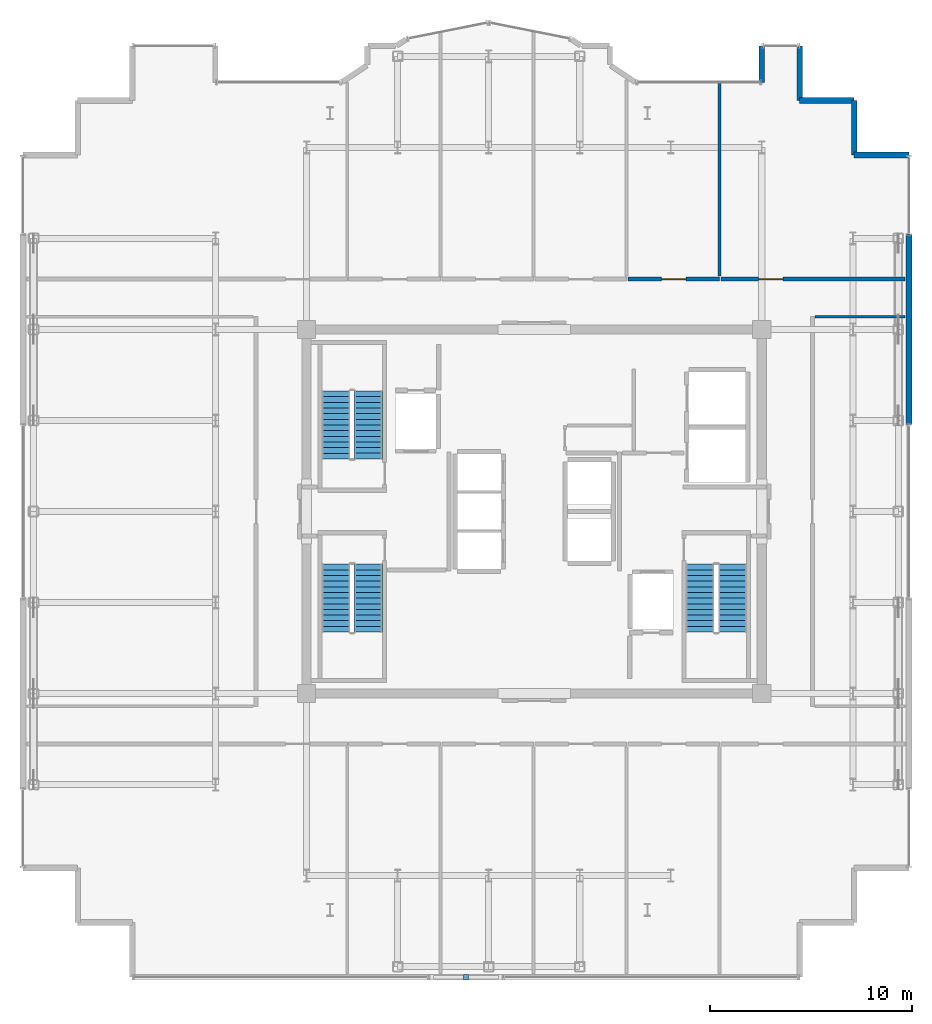
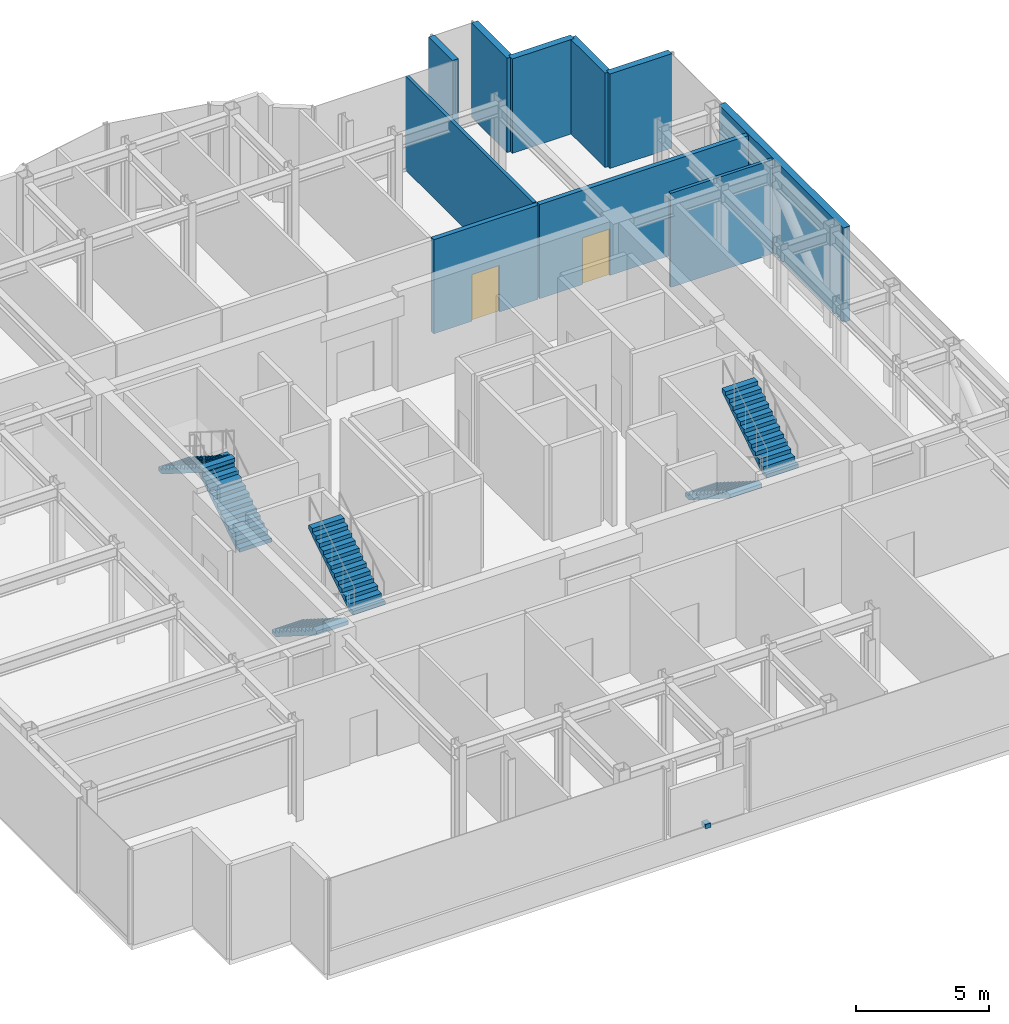
# One storey, part 16 of 18: 10 walls, 6 stair flights, 2 doors, 1 discrete accessory, 2 openings, 3 elements without a shape of their own.
"""IFC4 building model written with IfcOpenShell, lengths in metres."""

from ifc_helpers import new_model, si_unit, direction, frame, frame_2d, origin, origin_2d, place, context, subcontext, project, spatial, polyline, rectangle, outline, extrude, source, transform, mapped, material, layer, layer_set, type_object, element, fill, aggregate, save


model = new_model("IFC4")

# Units and contexts
model_context = context("Model", 3, precision=1e-05, world=origin(), true_north=direction((0.0, 1.0)))
body_context = subcontext(model_context, "Body", "Model", "MODEL_VIEW")
ifc_project = project(units=[si_unit("LENGTHUNIT", "METRE"), si_unit("AREAUNIT", "SQUARE_METRE"), si_unit("VOLUMEUNIT", "CUBIC_METRE"), si_unit("PLANEANGLEUNIT", "RADIAN"), si_unit("MASSUNIT", "GRAM", prefix="KILO")], contexts=[model_context])

# Site, building, storey
site_placement = place(None, origin())
site = spatial("IfcSite", under=ifc_project, at=site_placement, CompositionType="ELEMENT")
building_placement = place(site_placement, origin())
building = spatial("IfcBuilding", under=site, at=building_placement, Name="Nefas-Gora Pilgrimage Tower", CompositionType="ELEMENT")
storey_placement = place(building_placement, frame((0.0, 0.0, 317.800048828125)))
storey = spatial("IfcBuildingStorey", under=building, at=storey_placement, Name="L80", CompositionType="ELEMENT", Elevation=317.800048828125)

# Walls
ifc_material_1 = material(Name="Precast concrete C45/55", Category="concrete")
ifc_layer_1 = layer(ifc_material_1, 0.239990234375)
ifc_layer_set_1 = layer_set([ifc_layer_1], Name="Precast concrete C45/55")
wall_type_1 = type_object("IfcWallType", Name="EW-SERR-240", PredefinedType="SHEAR", material=ifc_layer_set_1)
shared_shape_1 = source(origin(), body_context, "Body", "SweptSolid", [
    extrude(rectangle(XDim=9.3798828125, YDim=0.300048828125, at=frame_2d((4.68994140625, 0.0))), origin(), (0.0, 0.0, 1.0), 4.349853515625),
])
wall_1_placement = place(storey_placement, frame((18.52001953125, 4.31005859375, 0.0), z_axis=(0.0, 0.0, 1.0), x_axis=(0.0, 1.0, 0.0)))
element("IfcWall", 1, at=wall_1_placement, inside=storey, type_object=wall_type_1, Name="L80 Belt-Truss Precast Shear Cladding 4", PredefinedType="SHEAR", context=body_context, shape_type="MappedRepresentation", body=[
    mapped(shared_shape_1, transform((0.0, 0.0, 0.0), x_axis=(1.0, 0.0, 0.0), y_axis=(0.0, 1.0, 0.0), z_axis=(0.0, 0.0, 1.0), scale=1.0)),
])
ifc_layer_2 = layer(ifc_material_1, 0.280029296875)
ifc_layer_set_2 = layer_set([ifc_layer_2], Name="Precast concrete C45/55")
wall_type_2 = type_object("IfcWallType", Name="EW-PLANT-280", PredefinedType="SOLIDWALL", material=ifc_layer_set_2)
shared_shape_2 = source(origin(), body_context, "Body", "SweptSolid", [
    extrude(rectangle(XDim=2.699951171875, YDim=0.280029296875, at=frame_2d((1.35009765625, 0.0))), origin(), (0.0, 0.0, 1.0), 4.349853515625),
])
for number, where, z_axis, x_axis, name in (
    (2, (18.52001953125, 17.6201171875, 0.0), (0.0, 0.0, 1.0), (-1.0, 0.0, 0.0), "L80 Serrated Corner Shear Pier Wall 6"),
    (3, (15.820068359375, 17.6201171875, 0.0), (0.0, 0.0, 1.0), (0.0, 1.0, 0.0), "L80 Serrated Corner Shear Pier Wall 7"),
    (4, (15.820068359375, 20.320068359375, 0.0), (0.0, 0.0, 1.0), (-1.0, 0.0, 0.0), "L80 Serrated Corner Shear Pier Wall 8"),
    (5, (13.1201171875, 20.320068359375, 0.0), (0.0, 0.0, 1.0), (0.0, 1.0, 0.0), "L80 Serrated Corner Shear Pier Wall 9"),
):
    element("IfcWall", number, at=place(storey_placement, frame(where, z_axis=z_axis, x_axis=x_axis)), inside=storey, type_object=wall_type_2, Name=name, PredefinedType="SOLIDWALL", context=body_context, shape_type="MappedRepresentation", body=[
        mapped(shared_shape_2, transform((0.0, 0.0, 0.0), x_axis=(1.0, 0.0, 0.0), y_axis=(0.0, 1.0, 0.0), z_axis=(0.0, 0.0, 1.0), scale=1.0)),
    ])
ifc_material_2 = material(Name="Precast concrete C40/50", Category="concrete")
ifc_layer_3 = layer(ifc_material_2, 0.260009765625)
ifc_layer_set_3 = layer_set([ifc_layer_3], Name="Precast concrete C40/50")
wall_type_3 = type_object("IfcWallType", Name="EW-PORTAL-260", PredefinedType="SOLIDWALL", material=ifc_layer_set_3)
shared_shape_3 = source(origin(), body_context, "Body", "SweptSolid", [
    extrude(rectangle(XDim=1.800048828125, YDim=0.260009765625, at=frame_2d((0.89990234375, 0.0))), origin(), (0.0, 0.0, 1.0), 4.349853515625),
])
wall_2_placement = place(storey_placement, frame((11.25, 23.02001953125, 0.0), z_axis=(0.0, 0.0, 1.0), x_axis=(0.0, -1.0, 0.0)))
element("IfcWall", 6, at=wall_2_placement, inside=storey, type_object=wall_type_3, Name="L80 Lobe Shoulder Precast Spandrel Pier 10", PredefinedType="SOLIDWALL", context=body_context, shape_type="MappedRepresentation", body=[
    mapped(shared_shape_3, transform((0.0, 0.0, 0.0), x_axis=(1.0, 0.0, 0.0), y_axis=(0.0, 1.0, 0.0), z_axis=(0.0, 0.0, 1.0), scale=1.0)),
])

# Wall, opening, door
ifc_material_3 = material(Name="Concrete C40/50", Category="concrete")
ifc_layer_4 = layer(ifc_material_3, 0.199951171875)
ifc_layer_set_4 = layer_set([ifc_layer_4], Name="Concrete C40/50")
wall_type_4 = type_object("IfcWallType", Name="IW-PLANT-200", PredefinedType="SOLIDWALL", material=ifc_layer_set_4)
shared_shape_4 = source(origin(), body_context, "Body", "SweptSolid", [
    extrude(rectangle(XDim=4.5400390625, YDim=0.199951171875, at=frame_2d((2.27001953125, 0.0))), origin(), (0.0, 0.0, 1.0), 4.3349609375),
])
wall_3_placement = place(storey_placement, frame((4.6298828125, 11.489990234375, 0.0), z_axis=(0.0, 0.0, 1.0), x_axis=(1.0, 0.0, 0.0)))
wall_3 = element("IfcWall", 7, at=wall_3_placement, inside=storey, type_object=wall_type_4, Name="L80 Building Automation and Controls Plant Room Partition Wall 35", PredefinedType="SOLIDWALL", context=body_context, shape_type="MappedRepresentation", body=[
    mapped(shared_shape_4, transform((0.0, 0.0, 0.0), x_axis=(1.0, 0.0, 0.0), y_axis=(0.0, 1.0, 0.0), z_axis=(0.0, 0.0, 1.0), scale=1.0)),
])
opening_1_placement = place(wall_3_placement, frame((1.669921875, 0.0, 0.0)))
opening_1 = element("IfcOpeningElement", 8, at=opening_1_placement, cuts=wall_3, Name="Opening ID-PL1", PredefinedType="OPENING", context=body_context, shape_type="SweptSolid", body=[
    extrude(rectangle(XDim=1.199951171875, YDim=2.14990234375, at=frame_2d((0.60009765625, 1.074951171875))), frame((0.0, 0.10986328125, 0.0), z_axis=(0.0, -1.0, 0.0), x_axis=(1.0, 0.0, 0.0)), (0.0, 0.0, 1.0), 0.219970703125),
])
ifc_material_4 = material(Name="Heavy-duty steel plant room fire door", Category="steel")
door_type = type_object("IfcDoorType", Name="DR-INT-PLANT-1200", OperationType="NOTDEFINED", PredefinedType="DOOR", material=ifc_material_4)
shared_shape_5 = source(origin(), body_context, "Body", "SweptSolid", [
    extrude(rectangle(XDim=1.199951171875, YDim=2.14990234375, at=frame_2d((0.60009765625, 1.074951171875))), frame((0.0, 0.02490234375, 0.0), z_axis=(0.0, -1.0, 0.0), x_axis=(1.0, 0.0, 0.0)), (0.0, 0.0, 1.0), 0.050048828125),
])
door_1_placement = place(opening_1_placement, origin())
door_1 = element("IfcDoor", 9, at=door_1_placement, inside=storey, type_object=door_type, Name="L80 Building Automation and Controls Plant Room Door 15", OperationType="SINGLE_SWING_RIGHT", OverallHeight=2.14990234375, OverallWidth=1.199951171875, PredefinedType="DOOR", context=body_context, shape_type="MappedRepresentation", body=[
    mapped(shared_shape_5, transform((0.0, 0.0, 0.0), x_axis=(1.0, 0.0, 0.0), y_axis=(0.0, 1.0, 0.0), z_axis=(0.0, 0.0, 1.0), scale=1.0)),
])
fill(opening_1, door_1)

# Walls
ifc_material_5 = material(Name="Gypsum twin-stud partition")
ifc_layer_5 = layer(ifc_material_5, 0.139892578125)
ifc_layer_set_5 = layer_set([ifc_layer_5], Name="Gypsum twin-stud partition")
wall_type_5 = type_object("IfcWallType", Name="IW-UNIT-140", PredefinedType="PARTITIONING", material=ifc_layer_set_5)
shared_shape_6 = source(origin(), body_context, "Body", "SweptSolid", [
    extrude(rectangle(XDim=9.610107421875, YDim=0.139892578125, at=frame_2d((4.80517578125, 0.0))), origin(), (0.0, 0.0, 1.0), 4.3349609375),
])
wall_4_placement = place(storey_placement, frame((9.159912109375, 11.6298828125, 0.0), z_axis=(0.0, 0.0, 1.0), x_axis=(0.0, 1.0, 0.0)))
element("IfcWall", 10, at=wall_4_placement, inside=storey, type_object=wall_type_5, Name="L80 Building Automation and Controls Plant Room Partition Wall 36", PredefinedType="PARTITIONING", context=body_context, shape_type="MappedRepresentation", body=[
    mapped(shared_shape_6, transform((0.0, 0.0, 0.0), x_axis=(1.0, 0.0, 0.0), y_axis=(0.0, 1.0, 0.0), z_axis=(0.0, 0.0, 1.0), scale=1.0)),
])
shared_shape_7 = source(origin(), body_context, "Body", "SweptSolid", [
    extrude(rectangle(XDim=4.440185546875, YDim=0.139892578125, at=frame_2d((2.22021484375, 0.0))), origin(), (0.0, 0.0, 1.0), 4.3349609375),
])
wall_5_placement = place(storey_placement, frame((13.889892578125, 9.6298828125, 0.0), z_axis=(0.0, 0.0, 1.0), x_axis=(1.0, 0.0, 0.0)))
element("IfcWall", 11, at=wall_5_placement, inside=storey, type_object=wall_type_5, Name="L80 Refuge Area East Partition Wall 25", PredefinedType="PARTITIONING", context=body_context, shape_type="MappedRepresentation", body=[
    mapped(shared_shape_7, transform((0.0, 0.0, 0.0), x_axis=(1.0, 0.0, 0.0), y_axis=(0.0, 1.0, 0.0), z_axis=(0.0, 0.0, 1.0), scale=1.0)),
])

# Wall, opening, door
shared_shape_8 = source(origin(), body_context, "Body", "SweptSolid", [
    extrude(rectangle(XDim=9.10009765625, YDim=0.199951171875, at=frame_2d((4.550048828125, 0.0))), origin(), (0.0, 0.0, 1.0), 4.3349609375),
])
wall_6_placement = place(storey_placement, frame((9.22998046875, 11.489990234375, 0.0), z_axis=(0.0, 0.0, 1.0), x_axis=(1.0, 0.0, 0.0)))
wall_6 = element("IfcWall", 12, at=wall_6_placement, inside=storey, type_object=wall_type_4, Name="L80 MV Transformer and Switchgear Plant Room Partition Wall 37", PredefinedType="SOLIDWALL", context=body_context, shape_type="MappedRepresentation", body=[
    mapped(shared_shape_8, transform((0.0, 0.0, 0.0), x_axis=(1.0, 0.0, 0.0), y_axis=(0.0, 1.0, 0.0), z_axis=(0.0, 0.0, 1.0), scale=1.0)),
])
opening_2_placement = place(wall_6_placement, frame((1.864013671875, 0.0, 0.0)))
opening_2 = element("IfcOpeningElement", 13, at=opening_2_placement, cuts=wall_6, Name="Opening ID-PL1", PredefinedType="OPENING", context=body_context, shape_type="SweptSolid", body=[
    extrude(rectangle(XDim=1.199951171875, YDim=2.14990234375, at=frame_2d((0.60009765625, 1.074951171875))), frame((0.0, 0.10986328125, 0.0), z_axis=(0.0, -1.0, 0.0), x_axis=(1.0, 0.0, 0.0)), (0.0, 0.0, 1.0), 0.219970703125),
])
door_2_placement = place(opening_2_placement, origin())
door_2 = element("IfcDoor", 14, at=door_2_placement, inside=storey, type_object=door_type, Name="L80 MV Transformer and Switchgear Plant Room Door 16", OperationType="SINGLE_SWING_LEFT", OverallHeight=2.14990234375, OverallWidth=1.199951171875, PredefinedType="DOOR", context=body_context, shape_type="MappedRepresentation", body=[
    mapped(shared_shape_5, transform((0.0, 0.0, 0.0), x_axis=(1.0, 0.0, 0.0), y_axis=(0.0, 1.0, 0.0), z_axis=(0.0, 0.0, 1.0), scale=1.0)),
])
fill(opening_2, door_2)

# Stair, stair flights
ifc_material_6 = material(Name="Concrete C45/55", Category="concrete")
stair_type = type_object("IfcStairType", Name="STR-1400-R1769", PredefinedType="HALF_TURN_STAIR", material=ifc_material_6)
stair_1_placement = place(storey_placement, origin())
stair_1 = element("IfcStair", 15, at=stair_1_placement, inside=storey, type_object=stair_type, Name="L80 Pressurised Tower Exit Stair ST-01", PredefinedType="HALF_TURN_STAIR")
stair_flight_type = type_object("IfcStairFlightType", Name="STF-1400-R1769", PredefinedType="STRAIGHT", material=ifc_material_6)
shared_shape_9 = source(origin(), body_context, "Body", "SweptSolid", [
    extrude(outline(polyline([(0.0, 0.0), (0.0, 0.177001953125), (0.280029296875, 0.177001953125), (0.280029296875, 0.353759765625), (0.56005859375, 0.353759765625), (0.56005859375, 0.53076171875), (0.840087890625, 0.53076171875), (0.840087890625, 0.707763671875), (1.1201171875, 0.707763671875), (1.1201171875, 0.884521484375), (1.39990234375, 0.884521484375), (1.39990234375, 1.0615234375), (1.679931640625, 1.0615234375), (1.679931640625, 1.238525390625), (1.9599609375, 1.238525390625), (1.9599609375, 1.415283203125), (2.239990234375, 1.415283203125), (2.239990234375, 1.59228515625), (2.52001953125, 1.59228515625), (2.52001953125, 1.769287109375), (2.800048828125, 1.769287109375), (2.800048828125, 1.946044921875), (3.080078125, 1.946044921875), (3.080078125, 2.123046875), (3.360107421875, 2.123046875), (3.360107421875, 2.300048828125), (3.360107421875, 1.94580078125), (0.280517578125, 0.0), (0.0, 0.0)])), frame((0.0, 0.699951171875, 0.0), z_axis=(0.0, -1.0, 0.0), x_axis=(1.0, 0.0, 0.0)), (0.0, 0.0, 1.0), 1.39990234375),
])
stair_flight_1_placement = place(storey_placement, frame((-8.199951171875, 2.60009765625, 0.0), z_axis=(0.0, 0.0, 1.0), x_axis=(0.0, 1.0, 0.0)))
stair_flight_1 = element("IfcStairFlight", 16, at=stair_flight_1_placement, type_object=stair_flight_type, Name="ST-01 flight 1", NumberOfRisers=13, NumberOfTreads=12, PredefinedType="STRAIGHT", RiserHeight=0.176923077, TreadLength=0.28, context=body_context, shape_type="MappedRepresentation", body=[
    mapped(shared_shape_9, transform((0.0, 0.0, 0.0), x_axis=(1.0, 0.0, 0.0), y_axis=(0.0, 1.0, 0.0), z_axis=(0.0, 0.0, 1.0), scale=1.0)),
])
stair_flight_2_placement = place(storey_placement, frame((-9.800048828125, 5.9599609375, 2.300048828125), z_axis=(0.0, 0.0, 1.0), x_axis=(0.0, -1.0, 0.0)))
stair_flight_2 = element("IfcStairFlight", 17, at=stair_flight_2_placement, type_object=stair_flight_type, Name="ST-01 flight 2", NumberOfRisers=13, NumberOfTreads=12, PredefinedType="STRAIGHT", RiserHeight=0.176923077, TreadLength=0.28, context=body_context, shape_type="MappedRepresentation", body=[
    mapped(shared_shape_9, transform((0.0, 0.0, 0.0), x_axis=(1.0, 0.0, 0.0), y_axis=(0.0, 1.0, 0.0), z_axis=(0.0, 0.0, 1.0), scale=1.0)),
])
aggregate(stair_1, [stair_flight_1, stair_flight_2])

stair_2_placement = place(storey_placement, origin())
stair_2 = element("IfcStair", 18, at=stair_2_placement, inside=storey, type_object=stair_type, Name="L80 Pressurised Tower Exit Stair ST-02", PredefinedType="HALF_TURN_STAIR")
stair_flight_3_placement = place(storey_placement, frame((8.199951171875, -2.60009765625, 0.0), z_axis=(0.0, 0.0, 1.0), x_axis=(0.0, -1.0, 0.0)))
stair_flight_3 = element("IfcStairFlight", 19, at=stair_flight_3_placement, type_object=stair_flight_type, Name="ST-02 flight 1", NumberOfRisers=13, NumberOfTreads=12, PredefinedType="STRAIGHT", RiserHeight=0.176923077, TreadLength=0.28, context=body_context, shape_type="MappedRepresentation", body=[
    mapped(shared_shape_9, transform((0.0, 0.0, 0.0), x_axis=(1.0, 0.0, 0.0), y_axis=(0.0, 1.0, 0.0), z_axis=(0.0, 0.0, 1.0), scale=1.0)),
])
stair_flight_4_placement = place(storey_placement, frame((9.800048828125, -5.9599609375, 2.300048828125), z_axis=(0.0, 0.0, 1.0), x_axis=(0.0, 1.0, 0.0)))
stair_flight_4 = element("IfcStairFlight", 20, at=stair_flight_4_placement, type_object=stair_flight_type, Name="ST-02 flight 2", NumberOfRisers=13, NumberOfTreads=12, PredefinedType="STRAIGHT", RiserHeight=0.176923077, TreadLength=0.28, context=body_context, shape_type="MappedRepresentation", body=[
    mapped(shared_shape_9, transform((0.0, 0.0, 0.0), x_axis=(1.0, 0.0, 0.0), y_axis=(0.0, 1.0, 0.0), z_axis=(0.0, 0.0, 1.0), scale=1.0)),
])
aggregate(stair_2, [stair_flight_3, stair_flight_4])

stair_3_placement = place(storey_placement, origin())
stair_3 = element("IfcStair", 21, at=stair_3_placement, inside=storey, type_object=stair_type, Name="L80 Pressurised Tower Exit Stair ST-03", PredefinedType="HALF_TURN_STAIR")
stair_flight_5_placement = place(storey_placement, frame((-9.800048828125, -2.60009765625, 0.0), z_axis=(0.0, 0.0, 1.0), x_axis=(0.0, -1.0, 0.0)))
stair_flight_5 = element("IfcStairFlight", 22, at=stair_flight_5_placement, type_object=stair_flight_type, Name="ST-03 flight 1", NumberOfRisers=13, NumberOfTreads=12, PredefinedType="STRAIGHT", RiserHeight=0.176923077, TreadLength=0.28, context=body_context, shape_type="MappedRepresentation", body=[
    mapped(shared_shape_9, transform((0.0, 0.0, 0.0), x_axis=(1.0, 0.0, 0.0), y_axis=(0.0, 1.0, 0.0), z_axis=(0.0, 0.0, 1.0), scale=1.0)),
])
stair_flight_6_placement = place(storey_placement, frame((-8.199951171875, -5.9599609375, 2.300048828125), z_axis=(0.0, 0.0, 1.0), x_axis=(0.0, 1.0, 0.0)))
stair_flight_6 = element("IfcStairFlight", 23, at=stair_flight_6_placement, type_object=stair_flight_type, Name="ST-03 flight 2", NumberOfRisers=13, NumberOfTreads=12, PredefinedType="STRAIGHT", RiserHeight=0.176923077, TreadLength=0.28, context=body_context, shape_type="MappedRepresentation", body=[
    mapped(shared_shape_9, transform((0.0, 0.0, 0.0), x_axis=(1.0, 0.0, 0.0), y_axis=(0.0, 1.0, 0.0), z_axis=(0.0, 0.0, 1.0), scale=1.0)),
])
aggregate(stair_3, [stair_flight_5, stair_flight_6])

# Discrete accessory
ifc_material_7 = material(Name="Hot-dip galvanised steel S355", Category="steel")
discrete_accessory_type = type_object("IfcDiscreteAccessoryType", Name="ACC-BRACKET-STL", PredefinedType="BRACKET", material=ifc_material_7)
shared_shape_10 = source(origin(), body_context, "Body", "SweptSolid", [
    extrude(rectangle(XDim=0.239990234375, YDim=0.280029296875, at=origin_2d()), origin(), (0.0, 0.0, 1.0), 0.199951171875),
])
discrete_accessory_placement = place(storey_placement, frame((-3.375, -23.02001953125, 1.0), z_axis=(0.0, 0.0, 1.0), x_axis=(1.0, 0.0, 0.0)))
element("IfcDiscreteAccessory", 24, at=discrete_accessory_placement, inside=storey, type_object=discrete_accessory_type, Name="L80 Louvre Support Bracket 28", PredefinedType="BRACKET", context=body_context, shape_type="MappedRepresentation", body=[
    mapped(shared_shape_10, transform((0.0, 0.0, 0.0), x_axis=(1.0, 0.0, 0.0), y_axis=(0.0, 1.0, 0.0), z_axis=(0.0, 0.0, 1.0), scale=1.0)),
])

save(model, "model.ifc")
